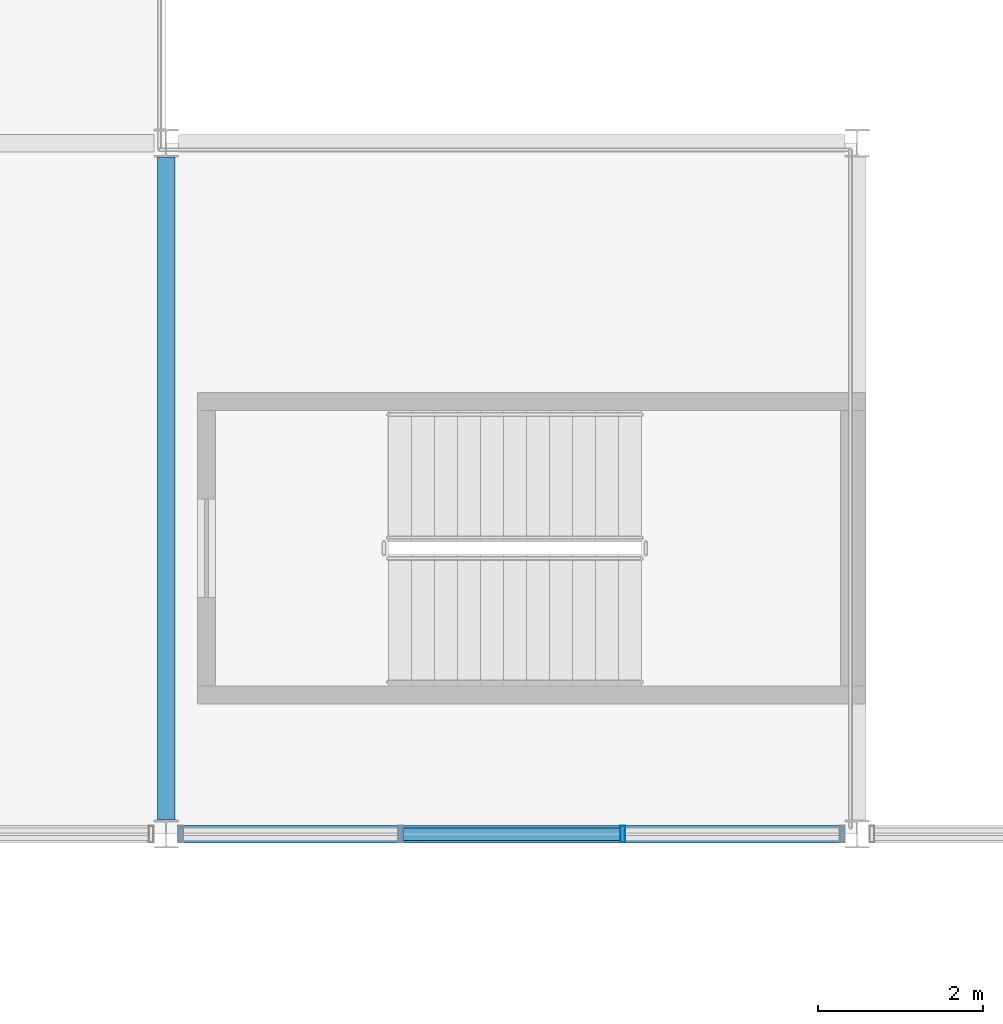
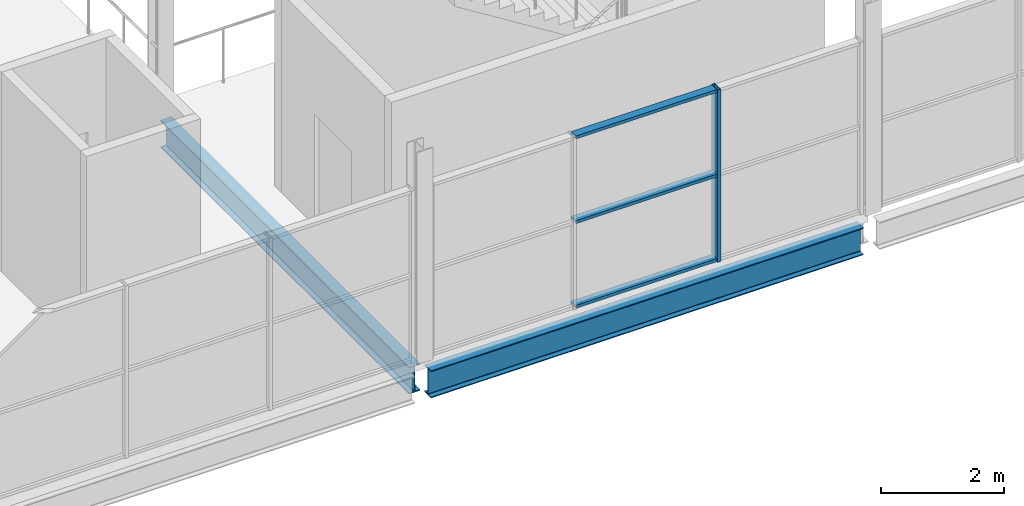
# One storey, part 17 of 93: 4 members, 2 beams, 1 element without a shape of its own.
"""IFC4 building model written with IfcOpenShell, lengths in metres."""

from ifc_helpers import new_model, si_unit, direction, frame, origin, origin_2d, place, context, subcontext, project, spatial, hollow_rectangle, i_section, extrude, material, material_profile, profile_set, type_object, element, aggregate, save


model = new_model("IFC4")

# Units and contexts
model_context = context("Model", 3, precision=1e-05, world=origin(), true_north=direction((0.0, 1.0)))
body_context = subcontext(model_context, "Body", "Model", "MODEL_VIEW")
ifc_project = project(units=[si_unit("LENGTHUNIT", "METRE"), si_unit("AREAUNIT", "SQUARE_METRE"), si_unit("VOLUMEUNIT", "CUBIC_METRE"), si_unit("PLANEANGLEUNIT", "RADIAN"), si_unit("MASSUNIT", "GRAM", prefix="KILO"), si_unit("THERMODYNAMICTEMPERATUREUNIT", "KELVIN")], contexts=[model_context])

# Site, building, storey
site_placement = place(None, origin())
site = spatial("IfcSite", under=ifc_project, at=site_placement, CompositionType="ELEMENT")
building_placement = place(site_placement, origin())
building = spatial("IfcBuilding", under=site, at=building_placement, Name="Nduvali Passage Aquatics Centre", CompositionType="ELEMENT")
storey_placement = place(building_placement, frame((0.0, 0.0, 9.0)))
storey = spatial("IfcBuildingStorey", under=building, at=storey_placement, Name="L02", CompositionType="ELEMENT", Elevation=9.0)

# Curtain wall, members
ifc_material_1 = material(Name="Aluminium EN AW-6063 T6", Category="aluminium")
curtain_wall_type = type_object("IfcCurtainWallType", Name="ENV-CW-DIVE", PredefinedType="NOTDEFINED", material=ifc_material_1)
curtain_wall_placement = place(storey_placement, origin())
curtain_wall = element("IfcCurtainWall", 1, at=curtain_wall_placement, inside=storey, type_object=curtain_wall_type, Name="L02 Diving Side Clerestory CW 150", PredefinedType="NOTDEFINED")
ifc_material_profile_1 = material_profile(ifc_material_1, hollow_rectangle(XDim=0.06005859375, YDim=0.199951171875, WallThickness=0.00390625, at=origin_2d()), Name="ALU MULLION 60x200x4")
ifc_profile_set_1 = profile_set([ifc_material_profile_1], Name="Aluminium EN AW-6063 T6")
member_type_1 = type_object("IfcMemberType", Name="ENV-MEM-MUL80", PredefinedType="MULLION", material=ifc_profile_set_1)
member_1_placement = place(storey_placement, frame((13.949951171875, 33.60009765625, 0.0), z_axis=(0.0, 0.0, 1.0), x_axis=(1.0, 0.0, 0.0)))
member_1 = element("IfcMember", 2, at=member_1_placement, type_object=member_type_1, Name="Diving Side Clerestory CW Mullion 3", PredefinedType="MULLION", context=body_context, shape_type="SweptSolid", body=[
    extrude(hollow_rectangle(XDim=0.06005859375, YDim=0.199951171875, WallThickness=0.00390625, at=origin_2d()), origin(), (0.0, 0.0, 1.0), 3.412841796875),
])
ifc_material_profile_2 = material_profile(ifc_material_1, hollow_rectangle(XDim=0.14990234375, YDim=0.06005859375, WallThickness=0.00390625, at=origin_2d()), Name="ALU TRANSOM 150x60x4")
ifc_profile_set_2 = profile_set([ifc_material_profile_2], Name="Aluminium EN AW-6063 T6")
member_type_2 = type_object("IfcMemberType", Name="ENV-MEM-TRN80", PredefinedType="USERDEFINED", material=ifc_profile_set_2)
member_2_placement = place(storey_placement, frame((11.280029296875, 33.60009765625, 0.030029296875), z_axis=(1.0, 0.0, 0.0), x_axis=(0.0, 1.0, 0.0)))
member_2 = element("IfcMember", 3, at=member_2_placement, type_object=member_type_2, Name="Diving Side Clerestory CW Transom B2-R0", ObjectType="TRANSOM", PredefinedType="USERDEFINED", context=body_context, shape_type="SweptSolid", body=[
    extrude(hollow_rectangle(XDim=0.14990234375, YDim=0.06005859375, WallThickness=0.00390625, at=origin_2d()), origin(), (0.0, 0.0, 1.0), 2.639892578125),
])
member_3_placement = place(storey_placement, frame((11.280029296875, 33.60009765625, 1.706298828125), z_axis=(1.0, 0.0, 0.0), x_axis=(0.0, 1.0, 0.0)))
member_3 = element("IfcMember", 4, at=member_3_placement, type_object=member_type_2, Name="Diving Side Clerestory CW Transom B2-R1", ObjectType="TRANSOM", PredefinedType="USERDEFINED", context=body_context, shape_type="SweptSolid", body=[
    extrude(hollow_rectangle(XDim=0.14990234375, YDim=0.06005859375, WallThickness=0.00390625, at=origin_2d()), origin(), (0.0, 0.0, 1.0), 2.639892578125),
])
member_4_placement = place(storey_placement, frame((11.280029296875, 33.60009765625, 3.3828125), z_axis=(1.0, 0.0, 0.0), x_axis=(0.0, 1.0, 0.0)))
member_4 = element("IfcMember", 5, at=member_4_placement, type_object=member_type_2, Name="Diving Side Clerestory CW Transom B2-R2", ObjectType="TRANSOM", PredefinedType="USERDEFINED", context=body_context, shape_type="SweptSolid", body=[
    extrude(hollow_rectangle(XDim=0.14990234375, YDim=0.06005859375, WallThickness=0.00390625, at=origin_2d()), origin(), (0.0, 0.0, 1.0), 2.639892578125),
])
aggregate(curtain_wall, [member_1, member_2, member_3, member_4])

# Beams
ifc_material_2 = material(Name="Steel S355", Category="steel")
ifc_material_profile_3 = material_profile(ifc_material_2, i_section(OverallWidth=0.210693359375, OverallDepth=0.53955078125, WebThickness=0.01171875, FlangeThickness=0.018798828125, FilletRadius=0.0126953125, at=origin_2d()), Name="UKB 533x210x109")
ifc_profile_set_3 = profile_set([ifc_material_profile_3], Name="Steel S355")
beam_type = type_object("IfcBeamType", Name="STR-BM-UKB533", PredefinedType="BEAM", material=ifc_profile_set_3)
beam_1_placement = place(storey_placement, frame((8.550048828125, 33.60009765625, -0.53369140625), z_axis=(1.0, 0.0, 0.0), x_axis=(0.0, 1.0, 0.0)))
element("IfcBeam", 6, at=beam_1_placement, inside=storey, type_object=beam_type, Name="L02 Primary X-Girder B6-0885", PredefinedType="BEAM", context=body_context, shape_type="SweptSolid", body=[
    extrude(i_section(OverallWidth=0.210693359375, OverallDepth=0.53955078125, WebThickness=0.01171875, FlangeThickness=0.018798828125, FilletRadius=0.0126953125, at=origin_2d()), origin(), (0.0, 0.0, 1.0), 8.099853515625),
])
beam_2_placement = place(storey_placement, frame((8.39990234375, 33.77001953125, -0.53369140625), z_axis=(0.0, 1.0, 0.0), x_axis=(-1.0, 0.0, 0.0)))
element("IfcBeam", 7, at=beam_2_placement, inside=storey, type_object=beam_type, Name="L02 Primary Y-Girder B6-0956", PredefinedType="BEAM", context=body_context, shape_type="SweptSolid", body=[
    extrude(i_section(OverallWidth=0.210693359375, OverallDepth=0.53955078125, WebThickness=0.01171875, FlangeThickness=0.018798828125, FilletRadius=0.0126953125, at=origin_2d()), origin(), (0.0, 0.0, 1.0), 8.06005859375),
])

save(model, "model.ifc")
